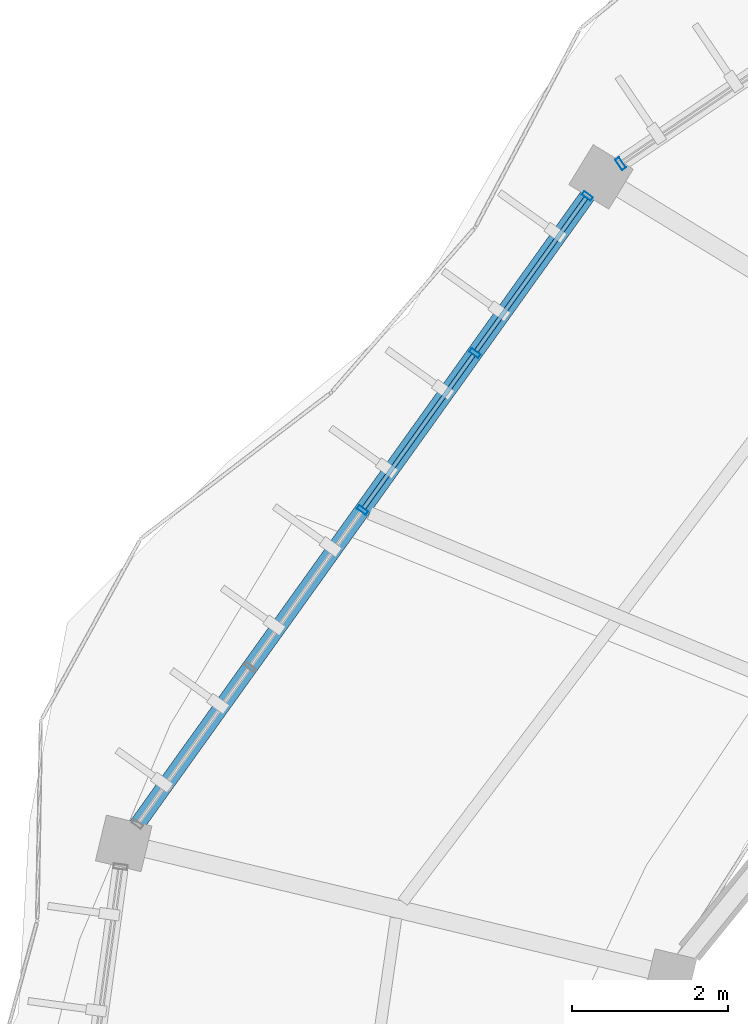
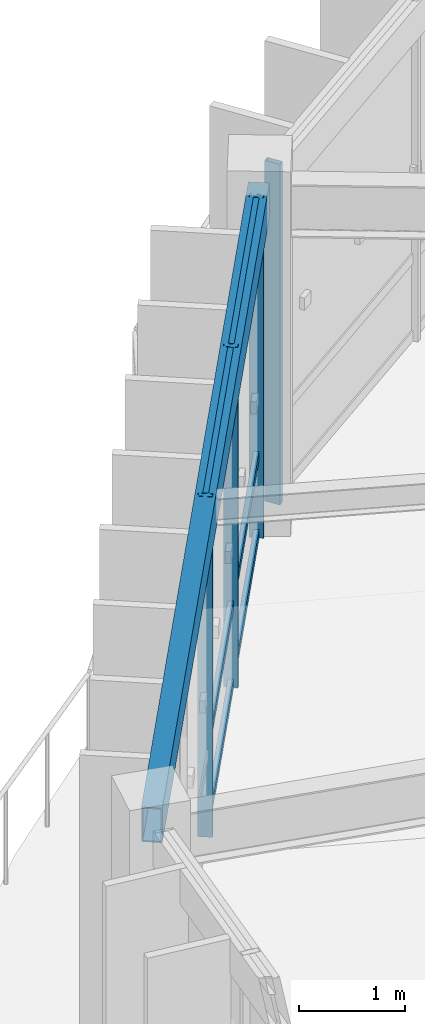
# One storey, part 20 of 83: 10 members, 1 beam, 2 elements without a shape of their own.
"""IFC4 building model written with IfcOpenShell, lengths in metres."""

from ifc_helpers import new_model, si_unit, direction, frame, origin, origin_2d, place, context, subcontext, project, spatial, hollow_rectangle, extrude, material, material_profile, profile_set, type_object, element, aggregate, save


model = new_model("IFC4")

# Units and contexts
model_context = context("Model", 3, precision=1e-05, world=origin(), true_north=direction((0.0, 1.0)))
body_context = subcontext(model_context, "Body", "Model", "MODEL_VIEW")
ifc_project = project(units=[si_unit("LENGTHUNIT", "METRE"), si_unit("AREAUNIT", "SQUARE_METRE"), si_unit("VOLUMEUNIT", "CUBIC_METRE"), si_unit("PLANEANGLEUNIT", "RADIAN"), si_unit("MASSUNIT", "GRAM", prefix="KILO"), si_unit("THERMODYNAMICTEMPERATUREUNIT", "KELVIN"), si_unit("POWERUNIT", "WATT")], contexts=[model_context])

# Site, building, storey
site_placement = place(None, origin())
site = spatial("IfcSite", under=ifc_project, at=site_placement, CompositionType="ELEMENT")
building_placement = place(site_placement, origin())
building = spatial("IfcBuilding", under=site, at=building_placement, Name="Darbajah Civic Hall", CompositionType="ELEMENT")
storey_placement = place(building_placement, frame((0.0, 0.0, 18.0)))
storey = spatial("IfcBuildingStorey", under=building, at=storey_placement, Name="L04", CompositionType="ELEMENT", Elevation=18.0)

# Curtain wall, members
ifc_material_1 = material(Name="Anodised Bronze Aluminium and Low-E Glazing", Category="aluminium")
curtain_wall_type_1 = type_object("IfcCurtainWallType", Name="Unitised Curtain Wall CW-68 9900x3900", PredefinedType="USERDEFINED", material=ifc_material_1)
curtain_wall_1_placement = place(storey_placement, origin())
curtain_wall_1 = element("IfcCurtainWall", 1, at=curtain_wall_1_placement, inside=storey, type_object=curtain_wall_type_1, Name="L04 unitised curtain wall CW-V1O-L04-08", ObjectType="UNITISED CURTAIN WALL", PredefinedType="USERDEFINED")
ifc_material_2 = material(Name="Anodised Bronze Aluminium", Category="aluminium")
ifc_material_profile_1 = material_profile(ifc_material_2, hollow_rectangle(XDim=0.054931640625, YDim=0.139892578125, WallThickness=0.003173828125, at=origin_2d()), Name="ALU MULLION 55x140")
ifc_profile_set_1 = profile_set([ifc_material_profile_1], Name="Anodised Bronze Aluminium")
member_type_1 = type_object("IfcMemberType", Name="ALU MULLION 55x140", PredefinedType="MULLION", material=ifc_profile_set_1)
member_1_placement = place(storey_placement, frame((45.439697265625, 104.96826171875, 0.0), z_axis=(0.0, 0.0, 1.0), x_axis=(-0.582264874145, -0.812999149039, 0.0)))
member_1 = element("IfcMember", 2, at=member_1_placement, type_object=member_type_1, Name="CW-V1O-L04-08 mullion 1", PredefinedType="MULLION", context=body_context, shape_type="SweptSolid", body=[
    extrude(hollow_rectangle(XDim=0.054931640625, YDim=0.139892578125, WallThickness=0.003173828125, at=origin_2d()), origin(), (0.0, 0.0, 1.0), 3.919921875),
])
member_2_placement = place(storey_placement, frame((44.0009765625, 102.959228515625, 0.0), z_axis=(0.0, 0.0, 1.0), x_axis=(-0.582264874145, -0.812999149039, 0.0)))
member_2 = element("IfcMember", 3, at=member_2_placement, type_object=member_type_1, Name="CW-V1O-L04-08 mullion 2", PredefinedType="MULLION", context=body_context, shape_type="SweptSolid", body=[
    extrude(hollow_rectangle(XDim=0.054931640625, YDim=0.139892578125, WallThickness=0.003173828125, at=origin_2d()), origin(), (0.0, 0.0, 1.0), 3.919921875),
])
member_3_placement = place(storey_placement, frame((42.562255859375, 100.9501953125, 0.0), z_axis=(0.0, 0.0, 1.0), x_axis=(-0.582264874145, -0.812999149039, 0.0)))
member_3 = element("IfcMember", 4, at=member_3_placement, type_object=member_type_1, Name="CW-V1O-L04-08 mullion 3", PredefinedType="MULLION", context=body_context, shape_type="SweptSolid", body=[
    extrude(hollow_rectangle(XDim=0.054931640625, YDim=0.139892578125, WallThickness=0.003173828125, at=origin_2d()), origin(), (0.0, 0.0, 1.0), 3.919921875),
])

# Curtain wall, member
curtain_wall_type_2 = type_object("IfcCurtainWallType", Name="Unitised Curtain Wall CW-58 11900x3900", PredefinedType="USERDEFINED", material=ifc_material_1)
curtain_wall_2_placement = place(storey_placement, origin())
curtain_wall_2 = element("IfcCurtainWall", 5, at=curtain_wall_2_placement, inside=storey, type_object=curtain_wall_type_2, Name="L04 unitised curtain wall CW-V1O-L04-07", ObjectType="UNITISED CURTAIN WALL", PredefinedType="USERDEFINED")
ifc_material_profile_2 = material_profile(ifc_material_2, hollow_rectangle(XDim=0.06005859375, YDim=0.159912109375, WallThickness=0.00341796875, at=origin_2d()), Name="ALU MULLION 60x160")
ifc_profile_set_2 = profile_set([ifc_material_profile_2], Name="Anodised Bronze Aluminium")
member_type_2 = type_object("IfcMemberType", Name="ALU MULLION 60x160", PredefinedType="MULLION", material=ifc_profile_set_2)
member_4_placement = place(storey_placement, frame((45.865478515625, 105.383056640625, 0.0), z_axis=(0.0, 0.0, 1.0), x_axis=(-0.827962472047, -0.560783509816, 0.0)))
member_4 = element("IfcMember", 6, at=member_4_placement, type_object=member_type_2, Name="CW-V1O-L04-07 mullion 5", PredefinedType="MULLION", context=body_context, shape_type="SweptSolid", body=[
    extrude(hollow_rectangle(XDim=0.06005859375, YDim=0.159912109375, WallThickness=0.00341796875, at=origin_2d()), origin(), (0.0, 0.0, 1.0), 3.919921875),
])
aggregate(curtain_wall_2, [member_4])

# Member
ifc_material_profile_3 = material_profile(ifc_material_2, hollow_rectangle(XDim=0.054931640625, YDim=0.10009765625, WallThickness=0.0029296875, at=origin_2d()), Name="ALU TRANSOM 55x100")
ifc_profile_set_3 = profile_set([ifc_material_profile_3], Name="Anodised Bronze Aluminium")
member_type_3 = type_object("IfcMemberType", Name="ALU TRANSOM 55x100", PredefinedType="USERDEFINED", material=ifc_profile_set_3)
member_5_placement = place(storey_placement, frame((45.420654296875, 104.94189453125, 0.050048828125), z_axis=(-0.582207185056, -0.813040462505, 0.0), x_axis=(0.813040462505, -0.582207185056, 0.0)))
member_5 = element("IfcMember", 7, at=member_5_placement, type_object=member_type_3, Name="CW-V1O-L04-08 transom 1.1", ObjectType="TRANSOM", PredefinedType="USERDEFINED", context=body_context, shape_type="SweptSolid", body=[
    extrude(hollow_rectangle(XDim=0.054931640625, YDim=0.10009765625, WallThickness=0.0029296875, at=origin_2d()), origin(), (0.0, 0.0, 1.0), 2.40625),
])

member_6_placement = place(storey_placement, frame((45.420654296875, 104.94189453125, 0.949951171875), z_axis=(-0.582207185056, -0.813040462505, 0.0), x_axis=(0.813040462505, -0.582207185056, 0.0)))
member_6 = element("IfcMember", 8, at=member_6_placement, type_object=member_type_3, Name="CW-V1O-L04-08 transom 1.2", ObjectType="TRANSOM", PredefinedType="USERDEFINED", context=body_context, shape_type="SweptSolid", body=[
    extrude(hollow_rectangle(XDim=0.054931640625, YDim=0.10009765625, WallThickness=0.0029296875, at=origin_2d()), origin(), (0.0, 0.0, 1.0), 2.40625),
])

member_7_placement = place(storey_placement, frame((45.420654296875, 104.94189453125, 3.8701171875), z_axis=(-0.582207185056, -0.813040462505, 0.0), x_axis=(0.813040462505, -0.582207185056, 0.0)))
member_7 = element("IfcMember", 9, at=member_7_placement, type_object=member_type_3, Name="CW-V1O-L04-08 transom 1.3", ObjectType="TRANSOM", PredefinedType="USERDEFINED", context=body_context, shape_type="SweptSolid", body=[
    extrude(hollow_rectangle(XDim=0.054931640625, YDim=0.10009765625, WallThickness=0.0029296875, at=origin_2d()), origin(), (0.0, 0.0, 1.0), 2.40625),
])

member_8_placement = place(storey_placement, frame((43.98193359375, 102.932861328125, 0.050048828125), z_axis=(-0.5821401071, -0.813088491928, 0.0), x_axis=(0.813088491928, -0.5821401071, 0.0)))
member_8 = element("IfcMember", 10, at=member_8_placement, type_object=member_type_3, Name="CW-V1O-L04-08 transom 2.1", ObjectType="TRANSOM", PredefinedType="USERDEFINED", context=body_context, shape_type="SweptSolid", body=[
    extrude(hollow_rectangle(XDim=0.054931640625, YDim=0.10009765625, WallThickness=0.0029296875, at=origin_2d()), origin(), (0.0, 0.0, 1.0), 2.406005859375),
])

member_9_placement = place(storey_placement, frame((43.98193359375, 102.932861328125, 0.949951171875), z_axis=(-0.5821401071, -0.813088491928, 0.0), x_axis=(0.813088491928, -0.5821401071, 0.0)))
member_9 = element("IfcMember", 11, at=member_9_placement, type_object=member_type_3, Name="CW-V1O-L04-08 transom 2.2", ObjectType="TRANSOM", PredefinedType="USERDEFINED", context=body_context, shape_type="SweptSolid", body=[
    extrude(hollow_rectangle(XDim=0.054931640625, YDim=0.10009765625, WallThickness=0.0029296875, at=origin_2d()), origin(), (0.0, 0.0, 1.0), 2.406005859375),
])

member_10_placement = place(storey_placement, frame((43.98193359375, 102.932861328125, 3.8701171875), z_axis=(-0.5821401071, -0.813088491928, 0.0), x_axis=(0.813088491928, -0.5821401071, 0.0)))
member_10 = element("IfcMember", 12, at=member_10_placement, type_object=member_type_3, Name="CW-V1O-L04-08 transom 2.3", ObjectType="TRANSOM", PredefinedType="USERDEFINED", context=body_context, shape_type="SweptSolid", body=[
    extrude(hollow_rectangle(XDim=0.054931640625, YDim=0.10009765625, WallThickness=0.0029296875, at=origin_2d()), origin(), (0.0, 0.0, 1.0), 2.406005859375),
])

aggregate(curtain_wall_1, [member_1, member_2, member_3, member_5, member_6, member_7, member_8, member_9, member_10])

# Beam
ifc_material_3 = material(Name="Steel S355JR", Category="steel")
ifc_material_profile_4 = material_profile(ifc_material_3, hollow_rectangle(XDim=0.199951171875, YDim=0.39990234375, WallThickness=0.013916015625, at=origin_2d()), Name="RHS 400x200x14")
ifc_profile_set_4 = profile_set([ifc_material_profile_4], Name="Steel S355JR")
beam_type = type_object("IfcBeamType", Name="RHS 400x200x14", PredefinedType="SPANDREL", material=ifc_profile_set_4)
beam_placement = place(storey_placement, frame((45.56884765625, 105.148681640625, 3.719970703125), z_axis=(-0.58222165068, -0.813030103674, 0.0), x_axis=(0.813030103674, -0.58222165068, 0.0)))
element("IfcBeam", 13, at=beam_placement, inside=storey, type_object=beam_type, Name="L04 beam SP-RHS400", PredefinedType="SPANDREL", context=body_context, shape_type="SweptSolid", body=[
    extrude(hollow_rectangle(XDim=0.199951171875, YDim=0.39990234375, WallThickness=0.013916015625, at=origin_2d()), origin(), (0.0, 0.0, 1.0), 10.327880859375),
])

save(model, "model.ifc")
